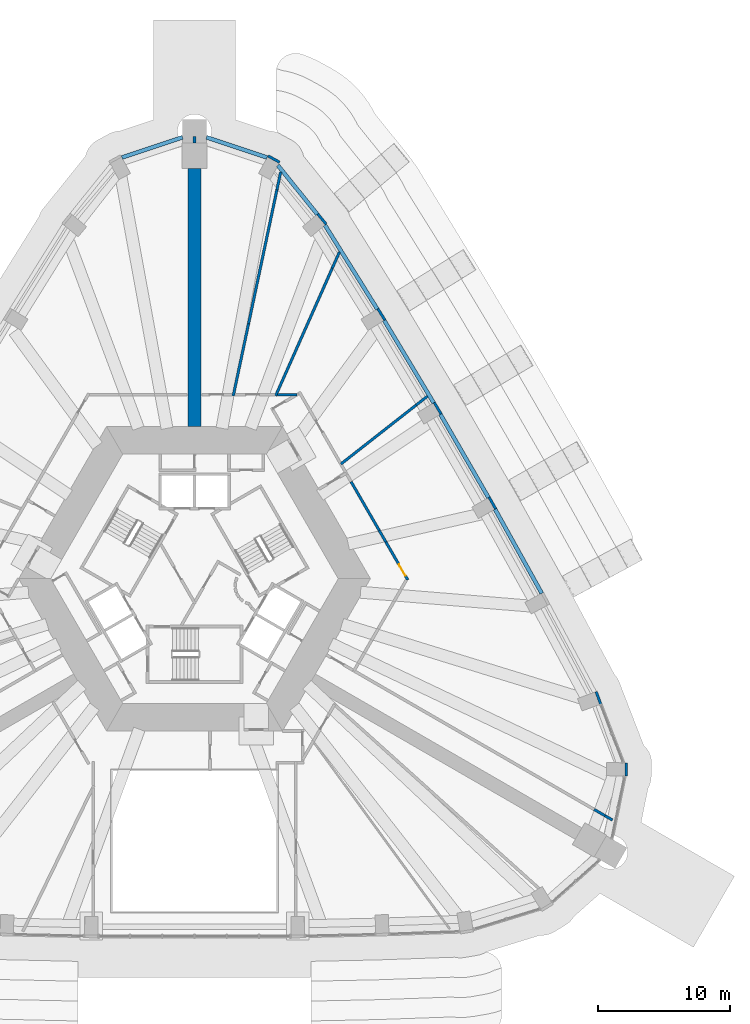
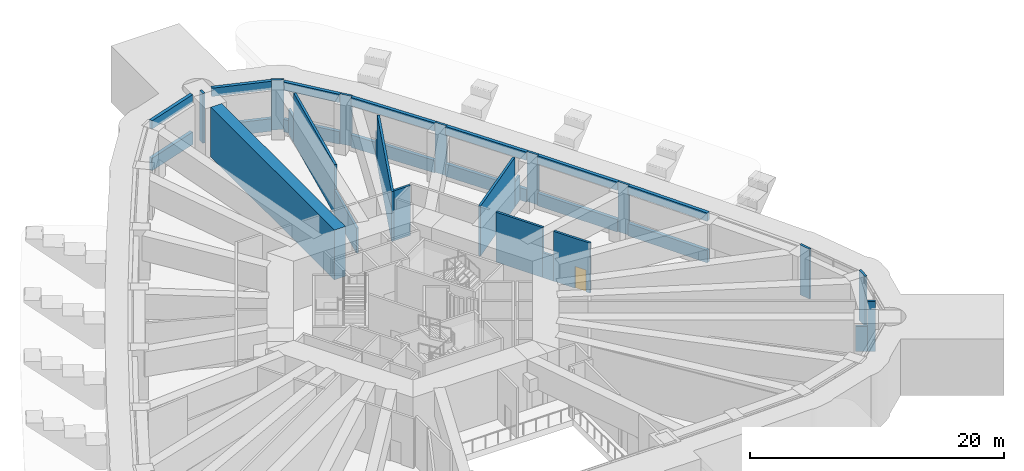
# One storey, part 12 of 21: 36 walls, 1 door, 1 opening.
"""IFC4 building model written with IfcOpenShell, lengths in metres."""

from ifc_helpers import new_model, si_unit, direction, frame, frame_2d, origin, place, context, subcontext, project, spatial, rectangle, extrude, material, layer, layer_set, type_object, element, fill, save


model = new_model("IFC4")

# Units and contexts
model_context = context("Model", 3, precision=1e-05, world=origin(), true_north=direction((0.0, 1.0)))
body_context = subcontext(model_context, "Body", "Model", "MODEL_VIEW")
ifc_project = project(units=[si_unit("LENGTHUNIT", "METRE"), si_unit("AREAUNIT", "SQUARE_METRE"), si_unit("VOLUMEUNIT", "CUBIC_METRE"), si_unit("PLANEANGLEUNIT", "RADIAN"), si_unit("MASSUNIT", "GRAM", prefix="KILO")], contexts=[model_context])

# Site, building, storey
site_placement = place(None, origin())
site = spatial("IfcSite", under=ifc_project, at=site_placement, CompositionType="ELEMENT")
building_placement = place(site_placement, origin())
building = spatial("IfcBuilding", under=site, at=building_placement, Name="Entoto Arch Interchange Tower", CompositionType="ELEMENT")
storey_placement = place(building_placement, frame((0.0, 0.0, 236.0)))
storey = spatial("IfcBuildingStorey", under=building, at=storey_placement, Name="L53", CompositionType="ELEMENT", Elevation=236.0)

# Walls
ifc_material_1 = material(Name="Concrete C50/60", Category="concrete")
ifc_layer_1 = layer(ifc_material_1, 1.0)
ifc_layer_set_1 = layer_set([ifc_layer_1], Name="Concrete C50/60")
wall_type_1 = type_object("IfcWallType", Name="Outrigger wall 1000 C50/60", PredefinedType="SHEAR", material=ifc_layer_set_1)
wall_1_placement = place(storey_placement, frame((0.0, 14.0, 0.0), z_axis=(0.0, 0.0, 1.0), x_axis=(0.0, 1.0, 0.0)))
element("IfcWall", 1, at=wall_1_placement, inside=storey, type_object=wall_type_1, Name="Outrigger wall N L53", PredefinedType="SHEAR", context=body_context, shape_type="SweptSolid", body=[
    extrude(rectangle(XDim=19.48291015625, YDim=1.0, at=frame_2d((9.741455078125, 0.0))), origin(), (0.0, 0.0, 1.0), 4.800048828125),
])
ifc_material_2 = material(Name="Gypsum board partition on steel studs", Category="steel")
ifc_layer_2 = layer(ifc_material_2, 0.199951171875)
ifc_layer_set_2 = layer_set([ifc_layer_2], Name="Gypsum board partition on steel studs")
wall_type_2 = type_object("IfcWallType", Name="PARTITION 200", PredefinedType="PARTITIONING", material=ifc_layer_set_2)
wall_2_placement = place(storey_placement, frame((6.26611328125, 16.39990234375, 0.0), z_axis=(0.0, 0.0, 1.0), x_axis=(1.0, 0.0, 0.0)))
element("IfcWall", 2, at=wall_2_placement, inside=storey, type_object=wall_type_2, Name="wall:L53:p055", PredefinedType="PARTITIONING", context=body_context, shape_type="SweptSolid", body=[
    extrude(rectangle(XDim=1.47900390625, YDim=0.199951171875, at=frame_2d((0.739501953125, 0.0))), origin(), (0.0, 0.0, 1.0), 4.800048828125),
])
wall_3_placement = place(storey_placement, frame((17.5810546875, 16.27587890625, 0.0), z_axis=(0.0, 0.0, 1.0), x_axis=(-0.78699011443, -0.61696560665, 0.0)))
element("IfcWall", 3, at=wall_3_placement, inside=storey, type_object=wall_type_2, Name="wall:L53:p058", PredefinedType="PARTITIONING", context=body_context, shape_type="SweptSolid", body=[
    extrude(rectangle(XDim=1.0712890625, YDim=0.199951171875, at=frame_2d((0.53564453125, 0.0))), origin(), (0.0, 0.0, 1.0), 2.39990234375),
])
wall_4_placement = place(storey_placement, frame((6.125, 16.30908203125, 0.0), z_axis=(0.0, 0.0, 1.0), x_axis=(0.405480740136, 0.914103587882, 0.0)))
element("IfcWall", 4, at=wall_4_placement, inside=storey, type_object=wall_type_2, Name="wall:L53:p059", PredefinedType="PARTITIONING", context=body_context, shape_type="SweptSolid", body=[
    extrude(rectangle(XDim=10.540283203125, YDim=0.199951171875, at=frame_2d((5.27001953125, 0.0))), origin(), (0.0, 0.0, 1.0), 4.800048828125),
])
wall_5_placement = place(storey_placement, frame((2.923095703125, 16.302001953125, 0.0), z_axis=(0.0, 0.0, 1.0), x_axis=(0.207251352571, 0.97828772703, 0.0)))
element("IfcWall", 5, at=wall_5_placement, inside=storey, type_object=wall_type_2, Name="wall:L53:p060", PredefinedType="PARTITIONING", context=body_context, shape_type="SweptSolid", body=[
    extrude(rectangle(XDim=5.572021484375, YDim=0.199951171875, at=frame_2d((2.7861328125, 0.0))), origin(), (0.0, 0.0, 1.0), 2.39990234375),
])
wall_6_placement = place(storey_placement, frame((0.0, 35.403076171875, 0.0), z_axis=(0.0, 0.0, 1.0), x_axis=(0.0, 1.0, 0.0)))
element("IfcWall", 6, at=wall_6_placement, inside=storey, type_object=wall_type_2, Name="wall:L53:p061", PredefinedType="PARTITIONING", context=body_context, shape_type="SweptSolid", body=[
    extrude(rectangle(XDim=0.5, YDim=0.199951171875, at=frame_2d((0.25, 0.0))), origin(), (0.0, 0.0, 1.0), 4.800048828125),
])
wall_7_placement = place(storey_placement, frame((30.173095703125, -14.919921875, 0.0), z_axis=(0.0, 0.0, 1.0), x_axis=(0.866108284413, -0.499856419056, 0.0)))
element("IfcWall", 7, at=wall_7_placement, inside=storey, type_object=wall_type_2, Name="wall:L53:p048", PredefinedType="PARTITIONING", context=body_context, shape_type="SweptSolid", body=[
    extrude(rectangle(XDim=0.946533203125, YDim=0.199951171875, at=frame_2d((0.47314453125, 0.0))), origin(), (0.0, 0.0, 1.0), 2.39990234375),
])
wall_8_placement = place(storey_placement, frame((30.992919921875, -15.39306640625, 0.0), z_axis=(0.0, 0.0, 1.0), x_axis=(0.865781063021, -0.500422972009, 0.0)))
element("IfcWall", 8, at=wall_8_placement, inside=storey, type_object=wall_type_2, Name="wall:L53:p048", PredefinedType="PARTITIONING", context=body_context, shape_type="SweptSolid", body=[
    extrude(rectangle(XDim=0.6435546875, YDim=0.199951171875, at=frame_2d((0.32177734375, 0.0))), origin(), (0.0, 0.0, 1.0), 4.800048828125),
])
wall_9_placement = place(storey_placement, frame((11.821044921875, 9.824951171875, 0.0), z_axis=(0.0, 0.0, 1.0), x_axis=(0.500015573243, -0.866016412382, 0.0)))
element("IfcWall", 9, at=wall_9_placement, inside=storey, type_object=wall_type_2, Name="wall:L53:p053", PredefinedType="PARTITIONING", context=body_context, shape_type="SweptSolid", body=[
    extrude(rectangle(XDim=4.253662109375, YDim=0.199951171875, at=frame_2d((2.126953125, 0.0))), origin(), (0.0, 0.0, 1.0), 4.800048828125),
])
wall_10_placement = place(storey_placement, frame((13.947998046875, 6.14111328125, 0.0), z_axis=(0.0, 0.0, 1.0), x_axis=(0.499694399542, -0.866201770413, 0.0)))
element("IfcWall", 10, at=wall_10_placement, inside=storey, type_object=wall_type_2, Name="wall:L53:p053", PredefinedType="PARTITIONING", context=body_context, shape_type="SweptSolid", body=[
    extrude(rectangle(XDim=1.004638671875, YDim=0.199951171875, at=frame_2d((0.50244140625, 0.0))), origin(), (0.0, 0.0, 1.0), 2.39990234375),
])

# Wall, opening, door
wall_11_placement = place(storey_placement, frame((14.449951171875, 5.27099609375, 0.0), z_axis=(0.0, 0.0, 1.0), x_axis=(0.50002983664, -0.866008176907, 0.0)))
wall_11 = element("IfcWall", 11, at=wall_11_placement, inside=storey, type_object=wall_type_2, Name="wall:L53:p053", PredefinedType="PARTITIONING", context=body_context, shape_type="SweptSolid", body=[
    extrude(rectangle(XDim=3.300048828125, YDim=0.199951171875, at=frame_2d((1.64990234375, 0.0))), origin(), (0.0, 0.0, 1.0), 4.800048828125),
])
opening_placement = place(wall_11_placement, frame((1.944091796875, 0.0, 0.0)))
opening = element("IfcOpeningElement", 12, at=opening_placement, cuts=wall_11, Name="Opening L53-D09", PredefinedType="OPENING", context=body_context, shape_type="SweptSolid", body=[
    extrude(rectangle(XDim=1.0, YDim=2.10009765625, at=frame_2d((0.5, 1.050048828125))), frame((0.0, 0.10986328125, 0.0), z_axis=(0.0, -1.0, 0.0), x_axis=(1.0, 0.0, 0.0)), (0.0, 0.0, 1.0), 0.219970703125),
])
ifc_material_3 = material(Name="Fire-rated Steel S235 door and frame", Category="steel")
door_type = type_object("IfcDoorType", Name="DOOR FD-10 1000x2100", OperationType="SINGLE_SWING_LEFT", PredefinedType="DOOR", material=ifc_material_3)
door_placement = place(opening_placement, origin())
door = element("IfcDoor", 13, at=door_placement, inside=storey, type_object=door_type, Name="door:L53:09", OperationType="SINGLE_SWING_LEFT", OverallHeight=2.10009765625, OverallWidth=1.0, PredefinedType="DOOR", context=body_context, shape_type="SweptSolid", body=[
    extrude(rectangle(XDim=1.0, YDim=2.10009765625, at=frame_2d((0.5, 1.050048828125))), frame((0.0, 0.02490234375, 0.0), z_axis=(0.0, -1.0, 0.0), x_axis=(1.0, 0.0, 0.0)), (0.0, 0.0, 1.0), 0.050048828125),
])
fill(opening, door)

# Walls
wall_12_placement = place(storey_placement, frame((16.738037109375, 15.614990234375, 0.0), z_axis=(0.0, 0.0, 1.0), x_axis=(-0.787145477979, -0.616767376323, 0.0)))
element("IfcWall", 14, at=wall_12_placement, inside=storey, type_object=wall_type_2, Name="wall:L53:p058", PredefinedType="PARTITIONING", context=body_context, shape_type="SweptSolid", body=[
    extrude(rectangle(XDim=7.224853515625, YDim=0.199951171875, at=frame_2d((3.6123046875, 0.0))), origin(), (0.0, 0.0, 1.0), 4.800048828125),
])
wall_13_placement = place(storey_placement, frame((10.39892578125, 25.944091796875, 0.0), z_axis=(0.0, 0.0, 1.0), x_axis=(0.405661971111, 0.914023175414, 0.0)))
element("IfcWall", 15, at=wall_13_placement, inside=storey, type_object=wall_type_2, Name="wall:L53:p059", PredefinedType="PARTITIONING", context=body_context, shape_type="SweptSolid", body=[
    extrude(rectangle(XDim=1.331298828125, YDim=0.199951171875, at=frame_2d((0.66552734375, 0.0))), origin(), (0.0, 0.0, 1.0), 2.39990234375),
])
wall_14_placement = place(storey_placement, frame((4.077880859375, 21.7529296875, 0.0), z_axis=(0.0, 0.0, 1.0), x_axis=(0.207313040937, 0.978274656248, 0.0)))
element("IfcWall", 16, at=wall_14_placement, inside=storey, type_object=wall_type_2, Name="wall:L53:p060", PredefinedType="PARTITIONING", context=body_context, shape_type="SweptSolid", body=[
    extrude(rectangle(XDim=10.33251953125, YDim=0.199951171875, at=frame_2d((5.166259765625, 0.0))), origin(), (0.0, 0.0, 1.0), 4.800048828125),
])
wall_15_placement = place(storey_placement, frame((6.219970703125, 31.861083984375, 0.0), z_axis=(0.0, 0.0, 1.0), x_axis=(0.207236425439, 0.978290889241, 0.0)))
element("IfcWall", 17, at=wall_15_placement, inside=storey, type_object=wall_type_2, Name="wall:L53:p060", PredefinedType="PARTITIONING", context=body_context, shape_type="SweptSolid", body=[
    extrude(rectangle(XDim=1.374755859375, YDim=0.199951171875, at=frame_2d((0.6875, 0.0))), origin(), (0.0, 0.0, 1.0), 2.39990234375),
])
ifc_material_4 = material(Name="Board-marked precast concrete C50/60", Category="concrete")
ifc_layer_3 = layer(ifc_material_4, 0.199951171875)
ifc_layer_set_3 = layer_set([ifc_layer_3], Name="Board-marked precast concrete C50/60")
wall_type_3 = type_object("IfcWallType", Name="PRECAST FRAME WALL 200", PredefinedType="STANDARD", material=ifc_layer_set_3)
wall_16_placement = place(storey_placement, frame((6.426025390625, 33.94189453125, 0.0), z_axis=(0.0, 0.0, 1.0), x_axis=(-0.878250009632, 0.478201757191, 0.0)))
element("IfcWall", 18, at=wall_16_placement, inside=storey, type_object=wall_type_3, Name="Frame pier N1 L53", PredefinedType="STANDARD", context=body_context, shape_type="SweptSolid", body=[
    extrude(rectangle(XDim=0.999755859375, YDim=0.199951171875, at=frame_2d((0.5, 0.0))), origin(), (0.0, 0.0, 1.0), 4.800048828125),
])
for number, where, z_axis, x_axis, name in (
    (19, (30.666015625, -6.964111328125, 0.0), (0.0, 0.0, 1.0), (-0.346813520822, 0.937934103109, 0.0), "Frame pier NE01 L53"),
    (20, (22.735107421875, 7.777099609375, 0.0), (0.0, 0.0, 1.0), (-0.492033129803, 0.870576475202, 0.0), "Frame pier NE03 L53"),
):
    element("IfcWall", number, at=place(storey_placement, frame(where, z_axis=z_axis, x_axis=x_axis)), inside=storey, type_object=wall_type_3, Name=name, PredefinedType="STANDARD", context=body_context, shape_type="SweptSolid", body=[
        extrude(rectangle(XDim=1.000244140625, YDim=0.199951171875, at=frame_2d((0.5, 0.0))), origin(), (0.0, 0.0, 1.0), 4.800048828125),
    ])
wall_17_placement = place(storey_placement, frame((18.611083984375, 14.93994140625, 0.0), z_axis=(0.0, 0.0, 1.0), x_axis=(-0.508161541526, 0.861261776531, 0.0)))
element("IfcWall", 21, at=wall_17_placement, inside=storey, type_object=wall_type_3, Name="Frame pier NE04 L53", PredefinedType="STANDARD", context=body_context, shape_type="SweptSolid", body=[
    extrude(rectangle(XDim=0.999755859375, YDim=0.199951171875, at=frame_2d((0.5, 0.0))), origin(), (0.0, 0.0, 1.0), 4.800048828125),
])
wall_18_placement = place(storey_placement, frame((14.368896484375, 22.031982421875, 0.0), z_axis=(0.0, 0.0, 1.0), x_axis=(-0.525648735675, 0.850701714282, 0.0)))
element("IfcWall", 22, at=wall_18_placement, inside=storey, type_object=wall_type_3, Name="Frame pier NE05 L53", PredefinedType="STANDARD", context=body_context, shape_type="SweptSolid", body=[
    extrude(rectangle(XDim=1.00048828125, YDim=0.199951171875, at=frame_2d((0.500244140625, 0.0))), origin(), (0.0, 0.0, 1.0), 4.800048828125),
])
wall_19_placement = place(storey_placement, frame((9.93994140625, 29.26904296875, 0.0), z_axis=(0.0, 0.0, 1.0), x_axis=(-0.637972365578, 0.770059257953, 0.0)))
element("IfcWall", 23, at=wall_19_placement, inside=storey, type_object=wall_type_3, Name="Frame pier NE06 L53", PredefinedType="STANDARD", context=body_context, shape_type="SweptSolid", body=[
    extrude(rectangle(XDim=1.0, YDim=0.199951171875, at=frame_2d((0.5, 0.0))), origin(), (0.0, 0.0, 1.0), 4.800048828125),
])
wall_20_placement = place(storey_placement, frame((32.5830078125, -12.404052734375, 0.0), z_axis=(0.0, 0.0, 1.0), x_axis=(0.023942303888, 0.999713341956, 0.0)))
element("IfcWall", 24, at=wall_20_placement, inside=storey, type_object=wall_type_3, Name="Frame pier SE3 L53", PredefinedType="STANDARD", context=body_context, shape_type="SweptSolid", body=[
    extrude(rectangle(XDim=0.999267578125, YDim=0.199951171875, at=frame_2d((0.49951171875, 0.0))), origin(), (0.0, 0.0, 1.0), 4.800048828125),
])
ifc_layer_4 = layer(ifc_material_4, 0.300048828125)
ifc_layer_set_4 = layer_set([ifc_layer_4], Name="Board-marked precast concrete C50/60")
wall_type_4 = type_object("IfcWallType", Name="PRECAST FRAME WALL 300", PredefinedType="STANDARD", material=ifc_layer_set_4)
wall_21_placement = place(storey_placement, frame((26.215087890625, 1.39990234375, 0.0), z_axis=(0.0, 0.0, 1.0), x_axis=(-0.485451767121, 0.874263451025, 0.0)))
element("IfcWall", 25, at=wall_21_placement, inside=storey, type_object=wall_type_4, Name="Frame sill wall NE-02 L53", PredefinedType="STANDARD", context=body_context, shape_type="SweptSolid", body=[
    extrude(rectangle(XDim=7.265625, YDim=0.300048828125, at=frame_2d((3.6328125, 0.0))), origin(), (0.0, 0.0, 1.0), 1.199951171875),
])
wall_22_placement = place(storey_placement, frame((26.215087890625, 1.39990234375, 4.0), z_axis=(0.0, 0.0, 1.0), x_axis=(-0.485451767121, 0.874263451025, 0.0)))
element("IfcWall", 26, at=wall_22_placement, inside=storey, type_object=wall_type_4, Name="Frame head wall NE-02 L53", PredefinedType="STANDARD", context=body_context, shape_type="SweptSolid", body=[
    extrude(rectangle(XDim=7.265625, YDim=0.300048828125, at=frame_2d((3.6328125, 0.0))), origin(), (0.0, 0.0, 1.0), 0.800048828125),
])
wall_23_placement = place(storey_placement, frame((22.196044921875, 8.6201171875, 0.0), z_axis=(0.0, 0.0, 1.0), x_axis=(-0.499980331134, 0.866036759312, 0.0)))
element("IfcWall", 27, at=wall_23_placement, inside=storey, type_object=wall_type_4, Name="Frame sill wall NE-03 L53", PredefinedType="STANDARD", context=body_context, shape_type="SweptSolid", body=[
    extrude(rectangle(XDim=7.266357421875, YDim=0.300048828125, at=frame_2d((3.63330078125, 0.0))), origin(), (0.0, 0.0, 1.0), 1.199951171875),
])
wall_24_placement = place(storey_placement, frame((22.196044921875, 8.6201171875, 4.0), z_axis=(0.0, 0.0, 1.0), x_axis=(-0.499980331134, 0.866036759312, 0.0)))
element("IfcWall", 28, at=wall_24_placement, inside=storey, type_object=wall_type_4, Name="Frame head wall NE-03 L53", PredefinedType="STANDARD", context=body_context, shape_type="SweptSolid", body=[
    extrude(rectangle(XDim=7.266357421875, YDim=0.300048828125, at=frame_2d((3.63330078125, 0.0))), origin(), (0.0, 0.0, 1.0), 0.800048828125),
])
wall_25_placement = place(storey_placement, frame((18.056884765625, 15.77294921875, 0.0), z_axis=(0.0, 0.0, 1.0), x_axis=(-0.51437714024, 0.857564083669, 0.0)))
element("IfcWall", 29, at=wall_25_placement, inside=storey, type_object=wall_type_4, Name="Frame sill wall NE-04 L53", PredefinedType="STANDARD", context=body_context, shape_type="SweptSolid", body=[
    extrude(rectangle(XDim=7.2646484375, YDim=0.300048828125, at=frame_2d((3.63232421875, 0.0))), origin(), (0.0, 0.0, 1.0), 1.199951171875),
])
wall_26_placement = place(storey_placement, frame((18.056884765625, 15.77294921875, 4.0), z_axis=(0.0, 0.0, 1.0), x_axis=(-0.51437714024, 0.857564083669, 0.0)))
element("IfcWall", 30, at=wall_26_placement, inside=storey, type_object=wall_type_4, Name="Frame head wall NE-04 L53", PredefinedType="STANDARD", context=body_context, shape_type="SweptSolid", body=[
    extrude(rectangle(XDim=7.2646484375, YDim=0.300048828125, at=frame_2d((3.63232421875, 0.0))), origin(), (0.0, 0.0, 1.0), 0.800048828125),
])
wall_27_placement = place(storey_placement, frame((13.799072265625, 22.85498046875, 0.0), z_axis=(0.0, 0.0, 1.0), x_axis=(-0.528961462244, 0.848645845722, 0.0)))
element("IfcWall", 31, at=wall_27_placement, inside=storey, type_object=wall_type_4, Name="Frame sill wall NE-05 L53", PredefinedType="STANDARD", context=body_context, shape_type="SweptSolid", body=[
    extrude(rectangle(XDim=7.4697265625, YDim=0.300048828125, at=frame_2d((3.73486328125, 0.0))), origin(), (0.0, 0.0, 1.0), 1.199951171875),
])
wall_28_placement = place(storey_placement, frame((13.799072265625, 22.85498046875, 4.0), z_axis=(0.0, 0.0, 1.0), x_axis=(-0.528961462244, 0.848645845722, 0.0)))
element("IfcWall", 32, at=wall_28_placement, inside=storey, type_object=wall_type_4, Name="Frame head wall NE-05 L53", PredefinedType="STANDARD", context=body_context, shape_type="SweptSolid", body=[
    extrude(rectangle(XDim=7.4697265625, YDim=0.300048828125, at=frame_2d((3.73486328125, 0.0))), origin(), (0.0, 0.0, 1.0), 0.800048828125),
])
wall_29_placement = place(storey_placement, frame((9.27001953125, 30.010986328125, 0.0), z_axis=(0.0, 0.0, 1.0), x_axis=(-0.627115312033, 0.778926431323, 0.0)))
element("IfcWall", 33, at=wall_29_placement, inside=storey, type_object=wall_type_4, Name="Frame sill wall N-01 L53", PredefinedType="STANDARD", context=body_context, shape_type="SweptSolid", body=[
    extrude(rectangle(XDim=4.742431640625, YDim=0.300048828125, at=frame_2d((2.37109375, 0.0))), origin(), (0.0, 0.0, 1.0), 1.199951171875),
])
wall_30_placement = place(storey_placement, frame((9.27001953125, 30.010986328125, 4.0), z_axis=(0.0, 0.0, 1.0), x_axis=(-0.627115312033, 0.778926431323, 0.0)))
element("IfcWall", 34, at=wall_30_placement, inside=storey, type_object=wall_type_4, Name="Frame head wall N-01 L53", PredefinedType="STANDARD", context=body_context, shape_type="SweptSolid", body=[
    extrude(rectangle(XDim=4.742431640625, YDim=0.300048828125, at=frame_2d((2.37109375, 0.0))), origin(), (0.0, 0.0, 1.0), 0.800048828125),
])
wall_31_placement = place(storey_placement, frame((5.48095703125, 34.2958984375, 0.0), z_axis=(0.0, 0.0, 1.0), x_axis=(-0.948577105871, 0.316546164433, 0.0)))
element("IfcWall", 35, at=wall_31_placement, inside=storey, type_object=wall_type_4, Name="Frame sill wall N-02 L53", PredefinedType="STANDARD", context=body_context, shape_type="SweptSolid", body=[
    extrude(rectangle(XDim=4.830322265625, YDim=0.300048828125, at=frame_2d((2.4150390625, 0.0))), origin(), (0.0, 0.0, 1.0), 1.199951171875),
])
wall_32_placement = place(storey_placement, frame((5.48095703125, 34.2958984375, 4.0), z_axis=(0.0, 0.0, 1.0), x_axis=(-0.948577105871, 0.316546164433, 0.0)))
element("IfcWall", 36, at=wall_32_placement, inside=storey, type_object=wall_type_4, Name="Frame head wall N-02 L53", PredefinedType="STANDARD", context=body_context, shape_type="SweptSolid", body=[
    extrude(rectangle(XDim=4.830322265625, YDim=0.300048828125, at=frame_2d((2.4150390625, 0.0))), origin(), (0.0, 0.0, 1.0), 0.800048828125),
])
wall_33_placement = place(storey_placement, frame((-0.89892578125, 35.824951171875, 0.0), z_axis=(0.0, 0.0, 1.0), x_axis=(-0.948577105871, -0.316546164433, 0.0)))
element("IfcWall", 37, at=wall_33_placement, inside=storey, type_object=wall_type_4, Name="Frame sill wall N-03 L53", PredefinedType="STANDARD", context=body_context, shape_type="SweptSolid", body=[
    extrude(rectangle(XDim=4.830322265625, YDim=0.300048828125, at=frame_2d((2.4150390625, 0.0))), origin(), (0.0, 0.0, 1.0), 1.199951171875),
])
wall_34_placement = place(storey_placement, frame((-0.89892578125, 35.824951171875, 4.0), z_axis=(0.0, 0.0, 1.0), x_axis=(-0.948577105871, -0.316546164433, 0.0)))
element("IfcWall", 38, at=wall_34_placement, inside=storey, type_object=wall_type_4, Name="Frame head wall N-03 L53", PredefinedType="STANDARD", context=body_context, shape_type="SweptSolid", body=[
    extrude(rectangle(XDim=4.830322265625, YDim=0.300048828125, at=frame_2d((2.4150390625, 0.0))), origin(), (0.0, 0.0, 1.0), 0.800048828125),
])

save(model, "model.ifc")
